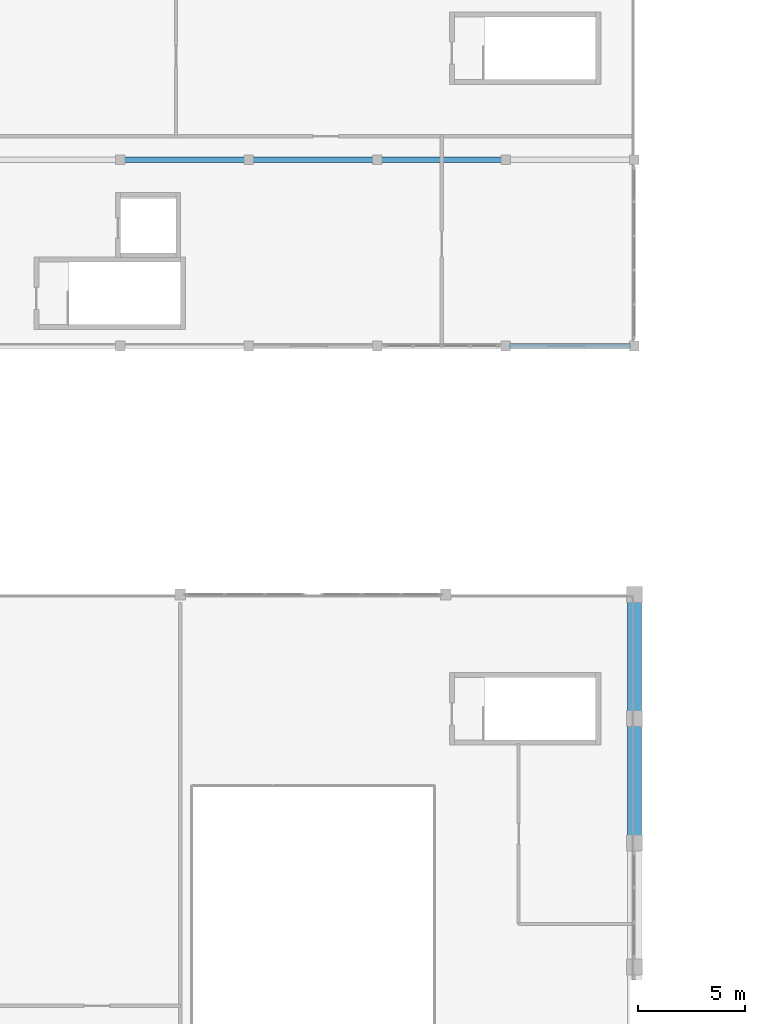
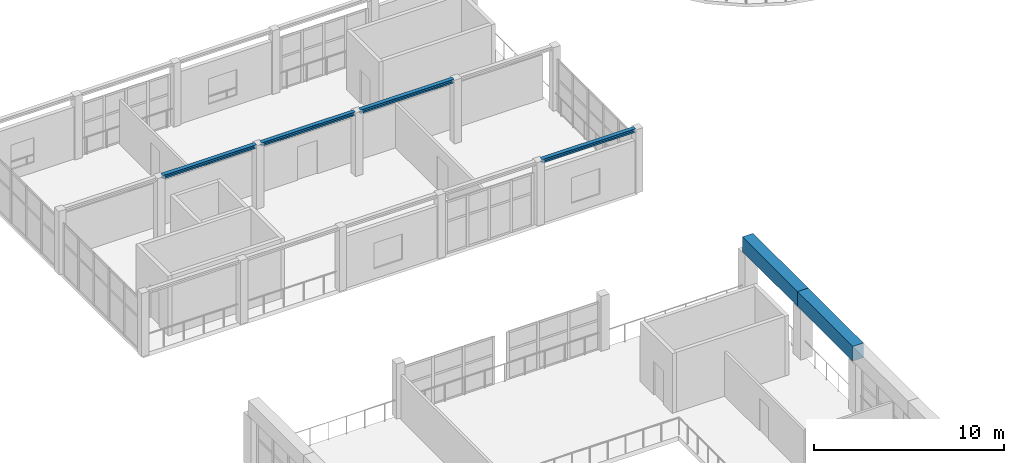
# One storey, part 48 of 128: 6 beams.
"""IFC4 building model written with IfcOpenShell, lengths in metres."""

from ifc_helpers import new_model, si_unit, direction, frame, origin, origin_2d, place, context, subcontext, project, spatial, rectangle, i_section, extrude, material, material_profile, profile_set, type_object, element, save


model = new_model("IFC4")

# Units and contexts
model_context = context("Model", 3, precision=1e-05, world=origin(), true_north=direction((0.0, 1.0)))
body_context = subcontext(model_context, "Body", "Model", "MODEL_VIEW")
ifc_project = project(units=[si_unit("LENGTHUNIT", "METRE"), si_unit("AREAUNIT", "SQUARE_METRE"), si_unit("VOLUMEUNIT", "CUBIC_METRE"), si_unit("PLANEANGLEUNIT", "RADIAN"), si_unit("MASSUNIT", "GRAM", prefix="KILO")], contexts=[model_context])

# Site, building, storey
site_placement = place(None, origin())
site = spatial("IfcSite", under=ifc_project, at=site_placement, CompositionType="ELEMENT")
building_placement = place(site_placement, origin())
building = spatial("IfcBuilding", under=site, at=building_placement, Name="Tanwirah Colonnade Gardens", CompositionType="ELEMENT")
storey_placement = place(building_placement, frame((0.0, 0.0, 4.760009765625)))
storey = spatial("IfcBuildingStorey", under=building, at=storey_placement, Name="L01", CompositionType="ELEMENT", Elevation=4.760009765625)

# Beams
ifc_material_1 = material(Name="Concrete C45/55", Category="concrete")
ifc_material_profile_1 = material_profile(ifc_material_1, rectangle(XDim=0.64990234375, YDim=0.949951171875, at=origin_2d()), Name="RC-RB 650x950")
ifc_profile_set_1 = profile_set([ifc_material_profile_1], Name="Concrete C45/55")
beam_type_1 = type_object("IfcBeamType", Name="RB-V650", PredefinedType="BEAM", material=ifc_profile_set_1)
beam_1_placement = place(storey_placement, frame((108.0, 68.800048828125, 3.68505859375), z_axis=(0.0, 1.0, 0.0), x_axis=(-1.0, 0.0, 0.0)))
element("IfcBeam", 1, at=beam_1_placement, inside=storey, type_object=beam_type_1, Name="Community Hall Vault Ring Beam E-6", PredefinedType="BEAM", context=body_context, shape_type="SweptSolid", body=[
    extrude(rectangle(XDim=0.64990234375, YDim=0.949951171875, at=origin_2d()), origin(), (0.0, 0.0, 1.0), 5.800048828125),
])
beam_2_placement = place(storey_placement, frame((108.0, 74.60009765625, 3.68505859375), z_axis=(0.0, 1.0, 0.0), x_axis=(-1.0, 0.0, 0.0)))
element("IfcBeam", 2, at=beam_2_placement, inside=storey, type_object=beam_type_1, Name="Community Hall Vault Ring Beam E-7", PredefinedType="BEAM", context=body_context, shape_type="SweptSolid", body=[
    extrude(rectangle(XDim=0.64990234375, YDim=0.949951171875, at=origin_2d()), origin(), (0.0, 0.0, 1.0), 5.7998046875),
])
ifc_material_2 = material(Name="Steel S355", Category="steel")
ifc_material_profile_2 = material_profile(ifc_material_2, i_section(OverallWidth=0.239990234375, OverallDepth=0.22998046875, WebThickness=0.007568359375, FlangeThickness=0.011962890625, at=origin_2d()), Name="HEA 240")
ifc_profile_set_2 = profile_set([ifc_material_profile_2], Name="Steel S355")
beam_type_2 = type_object("IfcBeamType", Name="SBM-HEA240", PredefinedType="BEAM", material=ifc_profile_set_2)
for number, where, z_axis, x_axis, name in (
    (3, (102.14990234375, 92.0, 3.965087890625), (1.0, 0.0, 0.0), (0.0, 1.0, 0.0), "Nursery L01 Beam X-4.0"),
    (4, (84.14990234375, 100.699951171875, 3.965087890625), (1.0, 0.0, 0.0), (0.0, 1.0, 0.0), "Nursery L01 Beam X-1.1"),
    (5, (90.14990234375, 100.699951171875, 3.965087890625), (1.0, 0.0, 0.0), (0.0, 1.0, 0.0), "Nursery L01 Beam X-2.1"),
    (6, (96.14990234375, 100.699951171875, 3.965087890625), (1.0, 0.0, 0.0), (0.0, 1.0, 0.0), "Nursery L01 Beam X-3.1"),
):
    element("IfcBeam", number, at=place(storey_placement, frame(where, z_axis=z_axis, x_axis=x_axis)), inside=storey, type_object=beam_type_2, Name=name, PredefinedType="BEAM", context=body_context, shape_type="SweptSolid", body=[
        extrude(i_section(OverallWidth=0.239990234375, OverallDepth=0.22998046875, WebThickness=0.007568359375, FlangeThickness=0.011962890625, at=origin_2d()), origin(), (0.0, 0.0, 1.0), 5.7001953125),
    ])

save(model, "model.ifc")
